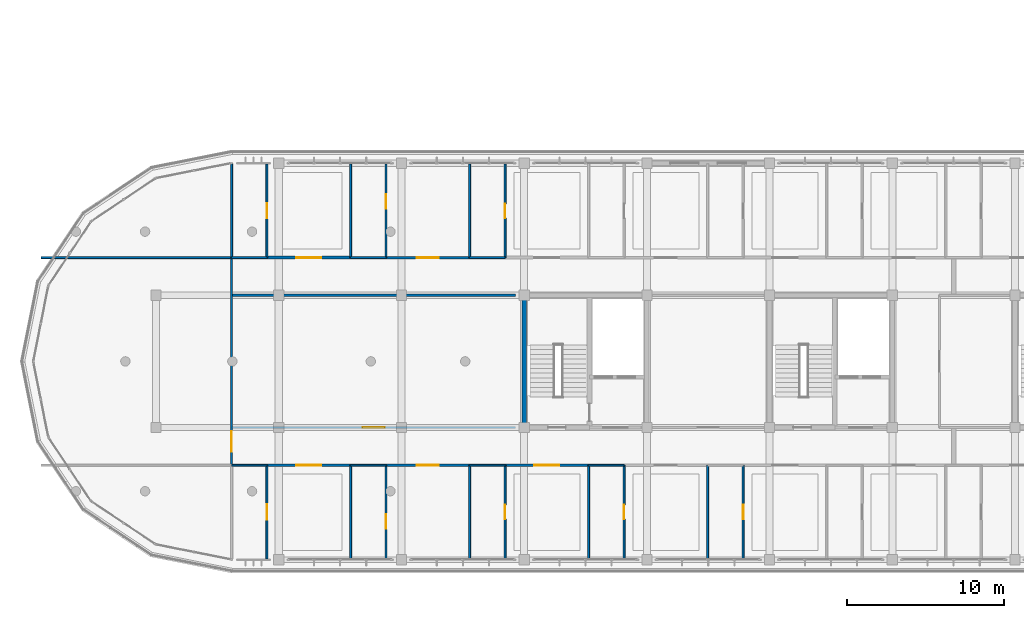
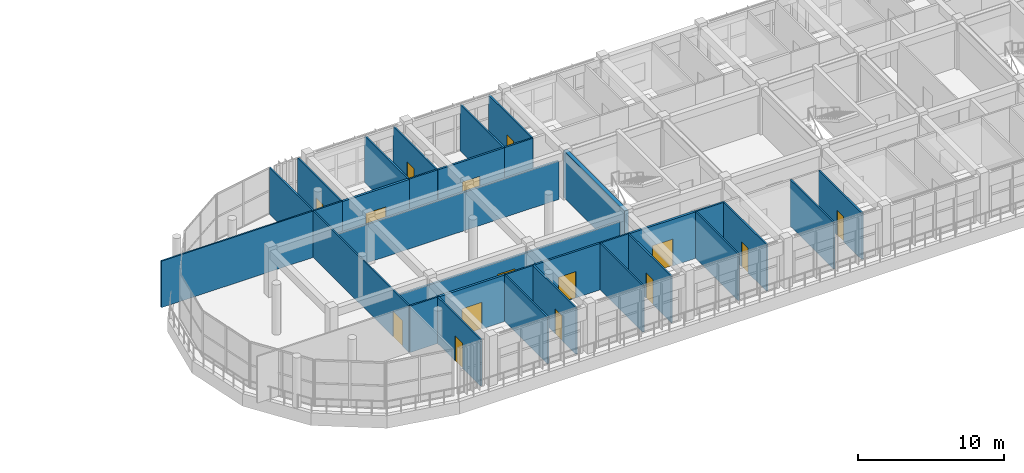
# One storey, part 50 of 63: 32 walls, 15 doors, 15 openings.
"""IFC4 building model written with IfcOpenShell, lengths in metres."""

from ifc_helpers import new_model, si_unit, direction, frame, frame_2d, origin, place, context, subcontext, project, spatial, rectangle, extrude, material, layer, layer_set, type_object, element, fill, save


model = new_model("IFC4")

# Units and contexts
model_context = context("Model", 3, precision=1e-05, world=origin(), true_north=direction((0.0, 1.0)))
body_context = subcontext(model_context, "Body", "Model", "MODEL_VIEW")
ifc_project = project(units=[si_unit("LENGTHUNIT", "METRE"), si_unit("AREAUNIT", "SQUARE_METRE"), si_unit("VOLUMEUNIT", "CUBIC_METRE"), si_unit("PLANEANGLEUNIT", "RADIAN"), si_unit("MASSUNIT", "GRAM", prefix="KILO")], contexts=[model_context])

# Site, building, storey
site_placement = place(None, origin())
site = spatial("IfcSite", under=ifc_project, at=site_placement, CompositionType="ELEMENT")
building_placement = place(site_placement, origin())
building = spatial("IfcBuilding", under=site, at=building_placement, Name="Zizhar Promenade General Hospital", CompositionType="ELEMENT")
storey_placement = place(building_placement, frame((0.0, 0.0, 18.0)))
storey = spatial("IfcBuildingStorey", under=building, at=storey_placement, Name="L04", CompositionType="ELEMENT", Elevation=18.0)

# Wall, opening, door
ifc_material_1 = material(Name="Acoustic double-stud clinical partition")
ifc_layer_1 = layer(ifc_material_1, 0.179931640625)
ifc_layer_set_1 = layer_set([ifc_layer_1], Name="Acoustic double-stud clinical partition")
wall_type_1 = type_object("IfcWallType", Name="IW-ICU-180", PredefinedType="PARTITIONING", material=ifc_layer_set_1)
wall_1_placement = place(storey_placement, frame((30.4599609375, 6.0, 0.0), z_axis=(0.0, 0.0, 1.0), x_axis=(1.0, 0.0, 0.0)))
wall_1 = element("IfcWall", 1, at=wall_1_placement, inside=storey, type_object=wall_type_1, Name="Intensive Care Step-Down L04-S01 N Partition", PredefinedType="PARTITIONING", context=body_context, shape_type="SweptSolid", body=[
    extrude(rectangle(XDim=5.297119140625, YDim=0.179931640625, at=frame_2d((2.6484375, 0.0))), origin(), (0.0, 0.0, 1.0), 3.89990234375),
])
opening_1_placement = place(wall_1_placement, frame((1.848388671875, 0.0, 0.0)))
opening_1 = element("IfcOpeningElement", 2, at=opening_1_placement, cuts=wall_1, Name="Opening D-05", PredefinedType="OPENING", context=body_context, shape_type="SweptSolid", body=[
    extrude(rectangle(XDim=1.60009765625, YDim=2.25, at=frame_2d((0.800048828125, 1.125))), frame((0.0, 0.10009765625, 0.0), z_axis=(0.0, -1.0, 0.0), x_axis=(1.0, 0.0, 0.0)), (0.0, 0.0, 1.0), 0.199951171875),
])
ifc_material_2 = material(Name="Anodised aluminium and clinical glass", Category="aluminium")
door_type_1 = type_object("IfcDoorType", Name="DR-ICU-GLZ-160x225", OperationType="SLIDING_TO_RIGHT", PredefinedType="DOOR", material=ifc_material_2)
door_1_placement = place(opening_1_placement, origin())
door_1 = element("IfcDoor", 3, at=door_1_placement, inside=storey, type_object=door_type_1, Name="Intensive Care Step-Down L04-S01 Door", OperationType="SLIDING_TO_RIGHT", OverallHeight=2.25, OverallWidth=1.60009765625, PredefinedType="DOOR", context=body_context, shape_type="SweptSolid", body=[
    extrude(rectangle(XDim=1.60009765625, YDim=2.25, at=frame_2d((0.800048828125, 1.125))), frame((0.0, 0.02490234375, 0.0), z_axis=(0.0, -1.0, 0.0), x_axis=(1.0, 0.0, 0.0)), (0.0, 0.0, 1.0), 0.050048828125),
])
fill(opening_1, door_1)

wall_2_placement = place(storey_placement, frame((30.4599609375, 19.199951171875, 0.0), z_axis=(0.0, 0.0, 1.0), x_axis=(1.0, 0.0, 0.0)))
wall_2 = element("IfcWall", 4, at=wall_2_placement, inside=storey, type_object=wall_type_1, Name="Intensive Care Step-Down L04-N01 S Partition", PredefinedType="PARTITIONING", context=body_context, shape_type="SweptSolid", body=[
    extrude(rectangle(XDim=5.297119140625, YDim=0.179931640625, at=frame_2d((2.6484375, 0.0))), origin(), (0.0, 0.0, 1.0), 3.89990234375),
])
opening_2_placement = place(wall_2_placement, frame((1.848388671875, 0.0, 0.0)))
opening_2 = element("IfcOpeningElement", 5, at=opening_2_placement, cuts=wall_2, Name="Opening D-05", PredefinedType="OPENING", context=body_context, shape_type="SweptSolid", body=[
    extrude(rectangle(XDim=1.60009765625, YDim=2.25, at=frame_2d((0.800048828125, 1.125))), frame((0.0, 0.10009765625, 0.0), z_axis=(0.0, -1.0, 0.0), x_axis=(1.0, 0.0, 0.0)), (0.0, 0.0, 1.0), 0.199951171875),
])
door_2_placement = place(opening_2_placement, origin())
door_2 = element("IfcDoor", 6, at=door_2_placement, inside=storey, type_object=door_type_1, Name="Intensive Care Step-Down L04-N01 Door", OperationType="SLIDING_TO_RIGHT", OverallHeight=2.25, OverallWidth=1.60009765625, PredefinedType="DOOR", context=body_context, shape_type="SweptSolid", body=[
    extrude(rectangle(XDim=1.60009765625, YDim=2.25, at=frame_2d((0.800048828125, 1.125))), frame((0.0, 0.02490234375, 0.0), z_axis=(0.0, -1.0, 0.0), x_axis=(1.0, 0.0, 0.0)), (0.0, 0.0, 1.0), 0.050048828125),
])
fill(opening_2, door_2)

wall_3_placement = place(storey_placement, frame((45.593017578125, 6.0, 0.0), z_axis=(0.0, 0.0, 1.0), x_axis=(1.0, 0.0, 0.0)))
wall_3 = element("IfcWall", 7, at=wall_3_placement, inside=storey, type_object=wall_type_1, Name="Intensive Care Step-Down L04-S03 N Partition", PredefinedType="PARTITIONING", context=body_context, shape_type="SweptSolid", body=[
    extrude(rectangle(XDim=5.296875, YDim=0.179931640625, at=frame_2d((2.6484375, 0.0))), origin(), (0.0, 0.0, 1.0), 3.89990234375),
])
opening_3_placement = place(wall_3_placement, frame((1.848388671875, 0.0, 0.0)))
opening_3 = element("IfcOpeningElement", 8, at=opening_3_placement, cuts=wall_3, Name="Opening D-05", PredefinedType="OPENING", context=body_context, shape_type="SweptSolid", body=[
    extrude(rectangle(XDim=1.60009765625, YDim=2.25, at=frame_2d((0.800048828125, 1.125))), frame((0.0, 0.10009765625, 0.0), z_axis=(0.0, -1.0, 0.0), x_axis=(1.0, 0.0, 0.0)), (0.0, 0.0, 1.0), 0.199951171875),
])
door_3_placement = place(opening_3_placement, origin())
door_3 = element("IfcDoor", 9, at=door_3_placement, inside=storey, type_object=door_type_1, Name="Intensive Care Step-Down L04-S03 Door", OperationType="SLIDING_TO_RIGHT", OverallHeight=2.25, OverallWidth=1.60009765625, PredefinedType="DOOR", context=body_context, shape_type="SweptSolid", body=[
    extrude(rectangle(XDim=1.60009765625, YDim=2.25, at=frame_2d((0.800048828125, 1.125))), frame((0.0, 0.02490234375, 0.0), z_axis=(0.0, -1.0, 0.0), x_axis=(1.0, 0.0, 0.0)), (0.0, 0.0, 1.0), 0.050048828125),
])
fill(opening_3, door_3)

# Wall
ifc_material_3 = material(Name="Clean utility gypsum partition")
ifc_layer_2 = layer(ifc_material_3, 0.114990234375)
ifc_layer_set_2 = layer_set([ifc_layer_2], Name="Clean utility gypsum partition")
wall_type_2 = type_object("IfcWallType", Name="IW-STR-115", PredefinedType="PARTITIONING", material=ifc_layer_set_2)
wall_4_placement = place(storey_placement, frame((16.10009765625, 19.199951171875, 0.0), z_axis=(0.0, 0.0, 1.0), x_axis=(1.0, 0.0, 0.0)))
element("IfcWall", 10, at=wall_4_placement, inside=storey, type_object=wall_type_2, Name="West Patient Recovery Solarium L04 N Partition", PredefinedType="PARTITIONING", context=body_context, shape_type="SweptSolid", body=[
    extrude(rectangle(XDim=12.099853515625, YDim=0.114990234375, at=frame_2d((6.0498046875, 0.0))), origin(), (0.0, 0.0, 1.0), 3.89990234375),
])

# Wall, opening, door
wall_5_placement = place(storey_placement, frame((28.199951171875, 6.0, 0.0), z_axis=(0.0, 0.0, 1.0), x_axis=(0.0, 1.0, 0.0)))
wall_5 = element("IfcWall", 11, at=wall_5_placement, inside=storey, type_object=wall_type_2, Name="West Patient Recovery Solarium L04 E Partition", PredefinedType="PARTITIONING", context=body_context, shape_type="SweptSolid", body=[
    extrude(rectangle(XDim=13.199951171875, YDim=0.114990234375, at=frame_2d((6.60009765625, 0.0))), origin(), (0.0, 0.0, 1.0), 3.89990234375),
])
opening_4_placement = place(wall_5_placement, frame((0.85009765625, 0.0, 0.0)))
opening_4 = element("IfcOpeningElement", 12, at=opening_4_placement, cuts=wall_5, Name="Opening D-26", PredefinedType="OPENING", context=body_context, shape_type="SweptSolid", body=[
    extrude(rectangle(XDim=1.320068359375, YDim=2.14990234375, at=frame_2d((0.66015625, 1.074951171875))), frame((0.0, 0.0673828125, 0.0), z_axis=(0.0, -1.0, 0.0), x_axis=(1.0, 0.0, 0.0)), (0.0, 0.0, 1.0), 0.135009765625),
])
ifc_material_4 = material(Name="Fire-rated timber store leaf", Category="wood")
door_type_2 = type_object("IfcDoorType", Name="DR-STORE-132x215", OperationType="NOTDEFINED", PredefinedType="DOOR", material=ifc_material_4)
door_4_placement = place(opening_4_placement, origin())
door_4 = element("IfcDoor", 13, at=door_4_placement, inside=storey, type_object=door_type_2, Name="West Patient Recovery Solarium L04 Door", OperationType="SINGLE_SWING_RIGHT", OverallHeight=2.14990234375, OverallWidth=1.320068359375, PredefinedType="DOOR", context=body_context, shape_type="SweptSolid", body=[
    extrude(rectangle(XDim=1.320068359375, YDim=2.14990234375, at=frame_2d((0.66015625, 1.074951171875))), frame((0.0, 0.02490234375, 0.0), z_axis=(0.0, -1.0, 0.0), x_axis=(1.0, 0.0, 0.0)), (0.0, 0.0, 1.0), 0.050048828125),
])
fill(opening_4, door_4)

ifc_material_5 = material(Name="Acoustic patient bedroom partition")
ifc_layer_3 = layer(ifc_material_5, 0.155029296875)
ifc_layer_set_3 = layer_set([ifc_layer_3], Name="Acoustic patient bedroom partition")
wall_type_3 = type_object("IfcWallType", Name="IW-WARD-155", PredefinedType="PARTITIONING", material=ifc_layer_set_3)
wall_6_placement = place(storey_placement, frame((38.027099609375, 6.0, 0.0), z_axis=(0.0, 0.0, 1.0), x_axis=(1.0, 0.0, 0.0)))
wall_6 = element("IfcWall", 14, at=wall_6_placement, inside=storey, type_object=wall_type_3, Name="Acute Medical Inpatient Ward L04-S02 N Partition", PredefinedType="PARTITIONING", context=body_context, shape_type="SweptSolid", body=[
    extrude(rectangle(XDim=5.2958984375, YDim=0.155029296875, at=frame_2d((2.64794921875, 0.0))), origin(), (0.0, 0.0, 1.0), 3.89990234375),
])
opening_5_placement = place(wall_6_placement, frame((1.947998046875, 0.0, 0.0)))
opening_5 = element("IfcOpeningElement", 15, at=opening_5_placement, cuts=wall_6, Name="Opening D-06", PredefinedType="OPENING", context=body_context, shape_type="SweptSolid", body=[
    extrude(rectangle(XDim=1.39990234375, YDim=2.199951171875, at=frame_2d((0.699951171875, 1.10009765625))), frame((0.0, 0.08740234375, 0.0), z_axis=(0.0, -1.0, 0.0), x_axis=(1.0, 0.0, 0.0)), (0.0, 0.0, 1.0), 0.175048828125),
])
ifc_material_6 = material(Name="Fire-rated timber hospital bed leaf", Category="wood")
door_type_3 = type_object("IfcDoorType", Name="DR-BED-WARD-140x220", OperationType="NOTDEFINED", PredefinedType="DOOR", material=ifc_material_6)
door_5_placement = place(opening_5_placement, origin())
door_5 = element("IfcDoor", 16, at=door_5_placement, inside=storey, type_object=door_type_3, Name="Acute Medical Inpatient Ward L04-S02 Door", OperationType="SINGLE_SWING_RIGHT", OverallHeight=2.199951171875, OverallWidth=1.39990234375, PredefinedType="DOOR", context=body_context, shape_type="SweptSolid", body=[
    extrude(rectangle(XDim=1.39990234375, YDim=2.199951171875, at=frame_2d((0.699951171875, 1.10009765625))), frame((0.0, 0.02490234375, 0.0), z_axis=(0.0, -1.0, 0.0), x_axis=(1.0, 0.0, 0.0)), (0.0, 0.0, 1.0), 0.050048828125),
])
fill(opening_5, door_5)

wall_7_placement = place(storey_placement, frame((38.027099609375, 19.199951171875, 0.0), z_axis=(0.0, 0.0, 1.0), x_axis=(1.0, 0.0, 0.0)))
wall_7 = element("IfcWall", 17, at=wall_7_placement, inside=storey, type_object=wall_type_3, Name="Acute Medical Inpatient Ward L04-N02 S Partition", PredefinedType="PARTITIONING", context=body_context, shape_type="SweptSolid", body=[
    extrude(rectangle(XDim=5.2958984375, YDim=0.155029296875, at=frame_2d((2.64794921875, 0.0))), origin(), (0.0, 0.0, 1.0), 3.89990234375),
])
opening_6_placement = place(wall_7_placement, frame((1.947998046875, 0.0, 0.0)))
opening_6 = element("IfcOpeningElement", 18, at=opening_6_placement, cuts=wall_7, Name="Opening D-06", PredefinedType="OPENING", context=body_context, shape_type="SweptSolid", body=[
    extrude(rectangle(XDim=1.39990234375, YDim=2.199951171875, at=frame_2d((0.699951171875, 1.10009765625))), frame((0.0, 0.08740234375, 0.0), z_axis=(0.0, -1.0, 0.0), x_axis=(1.0, 0.0, 0.0)), (0.0, 0.0, 1.0), 0.175048828125),
])
door_6_placement = place(opening_6_placement, origin())
door_6 = element("IfcDoor", 19, at=door_6_placement, inside=storey, type_object=door_type_3, Name="Acute Medical Inpatient Ward L04-N02 Door", OperationType="SINGLE_SWING_LEFT", OverallHeight=2.199951171875, OverallWidth=1.39990234375, PredefinedType="DOOR", context=body_context, shape_type="SweptSolid", body=[
    extrude(rectangle(XDim=1.39990234375, YDim=2.199951171875, at=frame_2d((0.699951171875, 1.10009765625))), frame((0.0, 0.02490234375, 0.0), z_axis=(0.0, -1.0, 0.0), x_axis=(1.0, 0.0, 0.0)), (0.0, 0.0, 1.0), 0.050048828125),
])
fill(opening_6, door_6)

wall_8_placement = place(storey_placement, frame((28.2099609375, 8.39990234375, 0.0), z_axis=(0.0, 0.0, 1.0), x_axis=(1.0, 0.0, 0.0)))
wall_8 = element("IfcWall", 20, at=wall_8_placement, inside=storey, type_object=wall_type_3, Name="Ward Clinical Examination Room L04 S Partition", PredefinedType="PARTITIONING", context=body_context, shape_type="SweptSolid", body=[
    extrude(rectangle(XDim=18.030029296875, YDim=0.155029296875, at=frame_2d((9.01513671875, 0.0))), origin(), (0.0, 0.0, 1.0), 3.219970703125),
])
opening_7_placement = place(wall_8_placement, frame((8.31494140625, 0.0, 0.0)))
opening_7 = element("IfcOpeningElement", 21, at=opening_7_placement, cuts=wall_8, Name="Opening D-06", PredefinedType="OPENING", context=body_context, shape_type="SweptSolid", body=[
    extrude(rectangle(XDim=1.39990234375, YDim=2.199951171875, at=frame_2d((0.699951171875, 1.10009765625))), frame((0.0, 0.08740234375, 0.0), z_axis=(0.0, -1.0, 0.0), x_axis=(1.0, 0.0, 0.0)), (0.0, 0.0, 1.0), 0.175048828125),
])
door_7_placement = place(opening_7_placement, origin())
door_7 = element("IfcDoor", 22, at=door_7_placement, inside=storey, type_object=door_type_3, Name="Ward Clinical Examination Room L04 Door", OperationType="SINGLE_SWING_RIGHT", OverallHeight=2.199951171875, OverallWidth=1.39990234375, PredefinedType="DOOR", context=body_context, shape_type="SweptSolid", body=[
    extrude(rectangle(XDim=1.39990234375, YDim=2.199951171875, at=frame_2d((0.699951171875, 1.10009765625))), frame((0.0, 0.02490234375, 0.0), z_axis=(0.0, -1.0, 0.0), x_axis=(1.0, 0.0, 0.0)), (0.0, 0.0, 1.0), 0.050048828125),
])
fill(opening_7, door_7)

# Walls
wall_9_placement = place(storey_placement, frame((28.2099609375, 16.800048828125, 0.0), z_axis=(0.0, 0.0, 1.0), x_axis=(1.0, 0.0, 0.0)))
element("IfcWall", 23, at=wall_9_placement, inside=storey, type_object=wall_type_3, Name="Ward Clinical Examination Room L04 N Partition", PredefinedType="PARTITIONING", context=body_context, shape_type="SweptSolid", body=[
    extrude(rectangle(XDim=18.030029296875, YDim=0.155029296875, at=frame_2d((9.01513671875, 0.0))), origin(), (0.0, 0.0, 1.0), 3.219970703125),
])
ifc_material_7 = material(Name="Moisture-resistant en-suite wet partition")
ifc_layer_4 = layer(ifc_material_7, 0.125)
ifc_layer_set_4 = layer_set([ifc_layer_4], Name="Moisture-resistant en-suite wet partition")
wall_type_4 = type_object("IfcWallType", Name="IW-WET-125", PredefinedType="PARTITIONING", material=ifc_layer_set_4)
wall_10_placement = place(storey_placement, frame((28.199951171875, 6.0, 0.0), z_axis=(0.0, 0.0, 1.0), x_axis=(1.0, 0.0, 0.0)))
element("IfcWall", 24, at=wall_10_placement, inside=storey, type_object=wall_type_4, Name="En-Suite Patient Bathroom L04-S01 N Partition", PredefinedType="PARTITIONING", context=body_context, shape_type="SweptSolid", body=[
    extrude(rectangle(XDim=2.25, YDim=0.125, at=frame_2d((1.125, 0.0))), origin(), (0.0, 0.0, 1.0), 3.89990234375),
])

# Wall, opening, door
wall_11_placement = place(storey_placement, frame((30.449951171875, 0.044921875, 0.0), z_axis=(0.0, 0.0, 1.0), x_axis=(0.0, 1.0, 0.0)))
wall_11 = element("IfcWall", 25, at=wall_11_placement, inside=storey, type_object=wall_type_4, Name="En-Suite Patient Bathroom L04-S01 E Partition", PredefinedType="PARTITIONING", context=body_context, shape_type="SweptSolid", body=[
    extrude(rectangle(XDim=5.955078125, YDim=0.125, at=frame_2d((2.9775390625, 0.0))), origin(), (0.0, 0.0, 1.0), 3.89990234375),
])
opening_8_placement = place(wall_11_placement, frame((2.487548828125, 0.0, 0.0)))
opening_8 = element("IfcOpeningElement", 26, at=opening_8_placement, cuts=wall_11, Name="Opening D-17", PredefinedType="OPENING", context=body_context, shape_type="SweptSolid", body=[
    extrude(rectangle(XDim=0.97998046875, YDim=2.10009765625, at=frame_2d((0.489990234375, 1.050048828125))), frame((0.0, 0.072509765625, 0.0), z_axis=(0.0, -1.0, 0.0), x_axis=(1.0, 0.0, 0.0)), (0.0, 0.0, 1.0), 0.14501953125),
])
ifc_material_8 = material(Name="Moisture-resistant timber PMR leaf", Category="wood")
door_type_4 = type_object("IfcDoorType", Name="DR-ENS-PMR-098x210", OperationType="NOTDEFINED", PredefinedType="DOOR", material=ifc_material_8)
door_8_placement = place(opening_8_placement, origin())
door_8 = element("IfcDoor", 27, at=door_8_placement, inside=storey, type_object=door_type_4, Name="En-Suite Patient Bathroom L04-S01 Door", OperationType="SINGLE_SWING_RIGHT", OverallHeight=2.10009765625, OverallWidth=0.97998046875, PredefinedType="DOOR", context=body_context, shape_type="SweptSolid", body=[
    extrude(rectangle(XDim=0.97998046875, YDim=2.10009765625, at=frame_2d((0.489990234375, 1.050048828125))), frame((0.0, 0.02490234375, 0.0), z_axis=(0.0, -1.0, 0.0), x_axis=(1.0, 0.0, 0.0)), (0.0, 0.0, 1.0), 0.050048828125),
])
fill(opening_8, door_8)

# Walls
wall_12_placement = place(storey_placement, frame((28.199951171875, 19.199951171875, 0.0), z_axis=(0.0, 0.0, 1.0), x_axis=(1.0, 0.0, 0.0)))
element("IfcWall", 28, at=wall_12_placement, inside=storey, type_object=wall_type_4, Name="En-Suite Patient Bathroom L04-N01 S Partition", PredefinedType="PARTITIONING", context=body_context, shape_type="SweptSolid", body=[
    extrude(rectangle(XDim=2.25, YDim=0.125, at=frame_2d((1.125, 0.0))), origin(), (0.0, 0.0, 1.0), 3.89990234375),
])
wall_13_placement = place(storey_placement, frame((28.199951171875, 19.199951171875, 0.0), z_axis=(0.0, 0.0, 1.0), x_axis=(0.0, 1.0, 0.0)))
element("IfcWall", 29, at=wall_13_placement, inside=storey, type_object=wall_type_4, Name="En-Suite Patient Bathroom L04-N01 W Partition", PredefinedType="PARTITIONING", context=body_context, shape_type="SweptSolid", body=[
    extrude(rectangle(XDim=5.955078125, YDim=0.125, at=frame_2d((2.9775390625, 0.0))), origin(), (0.0, 0.0, 1.0), 3.89990234375),
])

# Wall, opening, door
wall_14_placement = place(storey_placement, frame((30.449951171875, 19.199951171875, 0.0), z_axis=(0.0, 0.0, 1.0), x_axis=(0.0, 1.0, 0.0)))
wall_14 = element("IfcWall", 30, at=wall_14_placement, inside=storey, type_object=wall_type_4, Name="En-Suite Patient Bathroom L04-N01 E Partition", PredefinedType="PARTITIONING", context=body_context, shape_type="SweptSolid", body=[
    extrude(rectangle(XDim=5.955078125, YDim=0.125, at=frame_2d((2.9775390625, 0.0))), origin(), (0.0, 0.0, 1.0), 3.89990234375),
])
opening_9_placement = place(wall_14_placement, frame((2.487548828125, 0.0, 0.0)))
opening_9 = element("IfcOpeningElement", 31, at=opening_9_placement, cuts=wall_14, Name="Opening D-17", PredefinedType="OPENING", context=body_context, shape_type="SweptSolid", body=[
    extrude(rectangle(XDim=0.97998046875, YDim=2.10009765625, at=frame_2d((0.489990234375, 1.050048828125))), frame((0.0, 0.072509765625, 0.0), z_axis=(0.0, -1.0, 0.0), x_axis=(1.0, 0.0, 0.0)), (0.0, 0.0, 1.0), 0.14501953125),
])
door_9_placement = place(opening_9_placement, origin())
door_9 = element("IfcDoor", 32, at=door_9_placement, inside=storey, type_object=door_type_4, Name="En-Suite Patient Bathroom L04-N01 Door", OperationType="SINGLE_SWING_LEFT", OverallHeight=2.10009765625, OverallWidth=0.97998046875, PredefinedType="DOOR", context=body_context, shape_type="SweptSolid", body=[
    extrude(rectangle(XDim=0.97998046875, YDim=2.10009765625, at=frame_2d((0.489990234375, 1.050048828125))), frame((0.0, 0.02490234375, 0.0), z_axis=(0.0, -1.0, 0.0), x_axis=(1.0, 0.0, 0.0)), (0.0, 0.0, 1.0), 0.050048828125),
])
fill(opening_9, door_9)

# Walls
wall_15_placement = place(storey_placement, frame((35.7666015625, 6.0, 0.0), z_axis=(0.0, 0.0, 1.0), x_axis=(1.0, 0.0, 0.0)))
element("IfcWall", 33, at=wall_15_placement, inside=storey, type_object=wall_type_4, Name="En-Suite Patient Bathroom L04-S02 N Partition", PredefinedType="PARTITIONING", context=body_context, shape_type="SweptSolid", body=[
    extrude(rectangle(XDim=2.25, YDim=0.125, at=frame_2d((1.125, 0.0))), origin(), (0.0, 0.0, 1.0), 3.89990234375),
])
wall_16_placement = place(storey_placement, frame((35.7666015625, 0.044921875, 0.0), z_axis=(0.0, 0.0, 1.0), x_axis=(0.0, 1.0, 0.0)))
element("IfcWall", 34, at=wall_16_placement, inside=storey, type_object=wall_type_4, Name="En-Suite Patient Bathroom L04-S02 W Partition", PredefinedType="PARTITIONING", context=body_context, shape_type="SweptSolid", body=[
    extrude(rectangle(XDim=5.955078125, YDim=0.125, at=frame_2d((2.9775390625, 0.0))), origin(), (0.0, 0.0, 1.0), 3.89990234375),
])

# Wall, opening, door
wall_17_placement = place(storey_placement, frame((38.0166015625, 0.044921875, 0.0), z_axis=(0.0, 0.0, 1.0), x_axis=(0.0, 1.0, 0.0)))
wall_17 = element("IfcWall", 35, at=wall_17_placement, inside=storey, type_object=wall_type_4, Name="En-Suite Patient Bathroom L04-S02 E Partition", PredefinedType="PARTITIONING", context=body_context, shape_type="SweptSolid", body=[
    extrude(rectangle(XDim=5.955078125, YDim=0.125, at=frame_2d((2.9775390625, 0.0))), origin(), (0.0, 0.0, 1.0), 3.89990234375),
])
opening_10_placement = place(wall_17_placement, frame((1.922119140625, 0.0, 0.0)))
opening_10 = element("IfcOpeningElement", 36, at=opening_10_placement, cuts=wall_17, Name="Opening D-18", PredefinedType="OPENING", context=body_context, shape_type="SweptSolid", body=[
    extrude(rectangle(XDim=0.919921875, YDim=2.10009765625, at=frame_2d((0.4599609375, 1.050048828125))), frame((0.0, 0.072509765625, 0.0), z_axis=(0.0, -1.0, 0.0), x_axis=(1.0, 0.0, 0.0)), (0.0, 0.0, 1.0), 0.14501953125),
])
ifc_material_9 = material(Name="Moisture-resistant timber en-suite leaf", Category="wood")
door_type_5 = type_object("IfcDoorType", Name="DR-ENS-STD-092x210", OperationType="NOTDEFINED", PredefinedType="DOOR", material=ifc_material_9)
door_10_placement = place(opening_10_placement, origin())
door_10 = element("IfcDoor", 37, at=door_10_placement, inside=storey, type_object=door_type_5, Name="En-Suite Patient Bathroom L04-S02 Door", OperationType="SINGLE_SWING_RIGHT", OverallHeight=2.10009765625, OverallWidth=0.919921875, PredefinedType="DOOR", context=body_context, shape_type="SweptSolid", body=[
    extrude(rectangle(XDim=0.919921875, YDim=2.10009765625, at=frame_2d((0.4599609375, 1.050048828125))), frame((0.0, 0.02490234375, 0.0), z_axis=(0.0, -1.0, 0.0), x_axis=(1.0, 0.0, 0.0)), (0.0, 0.0, 1.0), 0.050048828125),
])
fill(opening_10, door_10)

# Walls
wall_18_placement = place(storey_placement, frame((35.7666015625, 19.199951171875, 0.0), z_axis=(0.0, 0.0, 1.0), x_axis=(1.0, 0.0, 0.0)))
element("IfcWall", 38, at=wall_18_placement, inside=storey, type_object=wall_type_4, Name="En-Suite Patient Bathroom L04-N02 S Partition", PredefinedType="PARTITIONING", context=body_context, shape_type="SweptSolid", body=[
    extrude(rectangle(XDim=2.25, YDim=0.125, at=frame_2d((1.125, 0.0))), origin(), (0.0, 0.0, 1.0), 3.89990234375),
])
wall_19_placement = place(storey_placement, frame((35.7666015625, 19.199951171875, 0.0), z_axis=(0.0, 0.0, 1.0), x_axis=(0.0, 1.0, 0.0)))
element("IfcWall", 39, at=wall_19_placement, inside=storey, type_object=wall_type_4, Name="En-Suite Patient Bathroom L04-N02 W Partition", PredefinedType="PARTITIONING", context=body_context, shape_type="SweptSolid", body=[
    extrude(rectangle(XDim=5.955078125, YDim=0.125, at=frame_2d((2.9775390625, 0.0))), origin(), (0.0, 0.0, 1.0), 3.89990234375),
])

# Wall, opening, door
wall_20_placement = place(storey_placement, frame((38.0166015625, 19.199951171875, 0.0), z_axis=(0.0, 0.0, 1.0), x_axis=(0.0, 1.0, 0.0)))
wall_20 = element("IfcWall", 40, at=wall_20_placement, inside=storey, type_object=wall_type_4, Name="En-Suite Patient Bathroom L04-N02 E Partition", PredefinedType="PARTITIONING", context=body_context, shape_type="SweptSolid", body=[
    extrude(rectangle(XDim=5.955078125, YDim=0.125, at=frame_2d((2.9775390625, 0.0))), origin(), (0.0, 0.0, 1.0), 3.89990234375),
])
opening_11_placement = place(wall_20_placement, frame((3.113037109375, 0.0, 0.0)))
opening_11 = element("IfcOpeningElement", 41, at=opening_11_placement, cuts=wall_20, Name="Opening D-18", PredefinedType="OPENING", context=body_context, shape_type="SweptSolid", body=[
    extrude(rectangle(XDim=0.919921875, YDim=2.10009765625, at=frame_2d((0.4599609375, 1.050048828125))), frame((0.0, 0.072509765625, 0.0), z_axis=(0.0, -1.0, 0.0), x_axis=(1.0, 0.0, 0.0)), (0.0, 0.0, 1.0), 0.14501953125),
])
door_11_placement = place(opening_11_placement, origin())
door_11 = element("IfcDoor", 42, at=door_11_placement, inside=storey, type_object=door_type_5, Name="En-Suite Patient Bathroom L04-N02 Door", OperationType="SINGLE_SWING_LEFT", OverallHeight=2.10009765625, OverallWidth=0.919921875, PredefinedType="DOOR", context=body_context, shape_type="SweptSolid", body=[
    extrude(rectangle(XDim=0.919921875, YDim=2.10009765625, at=frame_2d((0.4599609375, 1.050048828125))), frame((0.0, 0.02490234375, 0.0), z_axis=(0.0, -1.0, 0.0), x_axis=(1.0, 0.0, 0.0)), (0.0, 0.0, 1.0), 0.050048828125),
])
fill(opening_11, door_11)

# Walls
wall_21_placement = place(storey_placement, frame((43.333251953125, 6.0, 0.0), z_axis=(0.0, 0.0, 1.0), x_axis=(1.0, 0.0, 0.0)))
element("IfcWall", 43, at=wall_21_placement, inside=storey, type_object=wall_type_4, Name="En-Suite Patient Bathroom L04-S03 N Partition", PredefinedType="PARTITIONING", context=body_context, shape_type="SweptSolid", body=[
    extrude(rectangle(XDim=2.25, YDim=0.125, at=frame_2d((1.125, 0.0))), origin(), (0.0, 0.0, 1.0), 3.89990234375),
])
wall_22_placement = place(storey_placement, frame((43.333251953125, 0.044921875, 0.0), z_axis=(0.0, 0.0, 1.0), x_axis=(0.0, 1.0, 0.0)))
element("IfcWall", 44, at=wall_22_placement, inside=storey, type_object=wall_type_4, Name="En-Suite Patient Bathroom L04-S03 W Partition", PredefinedType="PARTITIONING", context=body_context, shape_type="SweptSolid", body=[
    extrude(rectangle(XDim=5.955078125, YDim=0.125, at=frame_2d((2.9775390625, 0.0))), origin(), (0.0, 0.0, 1.0), 3.89990234375),
])

# Wall, opening, door
wall_23_placement = place(storey_placement, frame((45.583251953125, 0.044921875, 0.0), z_axis=(0.0, 0.0, 1.0), x_axis=(0.0, 1.0, 0.0)))
wall_23 = element("IfcWall", 45, at=wall_23_placement, inside=storey, type_object=wall_type_4, Name="En-Suite Patient Bathroom L04-S03 E Partition", PredefinedType="PARTITIONING", context=body_context, shape_type="SweptSolid", body=[
    extrude(rectangle(XDim=5.955078125, YDim=0.125, at=frame_2d((2.9775390625, 0.0))), origin(), (0.0, 0.0, 1.0), 3.89990234375),
])
opening_12_placement = place(wall_23_placement, frame((2.517578125, 0.0, 0.0)))
opening_12 = element("IfcOpeningElement", 46, at=opening_12_placement, cuts=wall_23, Name="Opening D-18", PredefinedType="OPENING", context=body_context, shape_type="SweptSolid", body=[
    extrude(rectangle(XDim=0.919921875, YDim=2.10009765625, at=frame_2d((0.4599609375, 1.050048828125))), frame((0.0, 0.072509765625, 0.0), z_axis=(0.0, -1.0, 0.0), x_axis=(1.0, 0.0, 0.0)), (0.0, 0.0, 1.0), 0.14501953125),
])
door_12_placement = place(opening_12_placement, origin())
door_12 = element("IfcDoor", 47, at=door_12_placement, inside=storey, type_object=door_type_5, Name="En-Suite Patient Bathroom L04-S03 Door", OperationType="SINGLE_SWING_RIGHT", OverallHeight=2.10009765625, OverallWidth=0.919921875, PredefinedType="DOOR", context=body_context, shape_type="SweptSolid", body=[
    extrude(rectangle(XDim=0.919921875, YDim=2.10009765625, at=frame_2d((0.4599609375, 1.050048828125))), frame((0.0, 0.02490234375, 0.0), z_axis=(0.0, -1.0, 0.0), x_axis=(1.0, 0.0, 0.0)), (0.0, 0.0, 1.0), 0.050048828125),
])
fill(opening_12, door_12)

# Walls
wall_24_placement = place(storey_placement, frame((43.333251953125, 19.199951171875, 0.0), z_axis=(0.0, 0.0, 1.0), x_axis=(1.0, 0.0, 0.0)))
element("IfcWall", 48, at=wall_24_placement, inside=storey, type_object=wall_type_4, Name="En-Suite Patient Bathroom L04-N03 S Partition", PredefinedType="PARTITIONING", context=body_context, shape_type="SweptSolid", body=[
    extrude(rectangle(XDim=2.25, YDim=0.125, at=frame_2d((1.125, 0.0))), origin(), (0.0, 0.0, 1.0), 3.89990234375),
])
wall_25_placement = place(storey_placement, frame((43.333251953125, 19.199951171875, 0.0), z_axis=(0.0, 0.0, 1.0), x_axis=(0.0, 1.0, 0.0)))
element("IfcWall", 49, at=wall_25_placement, inside=storey, type_object=wall_type_4, Name="En-Suite Patient Bathroom L04-N03 W Partition", PredefinedType="PARTITIONING", context=body_context, shape_type="SweptSolid", body=[
    extrude(rectangle(XDim=5.955078125, YDim=0.125, at=frame_2d((2.9775390625, 0.0))), origin(), (0.0, 0.0, 1.0), 3.89990234375),
])

# Wall, opening, door
wall_26_placement = place(storey_placement, frame((45.583251953125, 19.199951171875, 0.0), z_axis=(0.0, 0.0, 1.0), x_axis=(0.0, 1.0, 0.0)))
wall_26 = element("IfcWall", 50, at=wall_26_placement, inside=storey, type_object=wall_type_4, Name="En-Suite Patient Bathroom L04-N03 E Partition", PredefinedType="PARTITIONING", context=body_context, shape_type="SweptSolid", body=[
    extrude(rectangle(XDim=5.955078125, YDim=0.125, at=frame_2d((2.9775390625, 0.0))), origin(), (0.0, 0.0, 1.0), 3.89990234375),
])
opening_13_placement = place(wall_26_placement, frame((2.517578125, 0.0, 0.0)))
opening_13 = element("IfcOpeningElement", 51, at=opening_13_placement, cuts=wall_26, Name="Opening D-18", PredefinedType="OPENING", context=body_context, shape_type="SweptSolid", body=[
    extrude(rectangle(XDim=0.919921875, YDim=2.10009765625, at=frame_2d((0.4599609375, 1.050048828125))), frame((0.0, 0.072509765625, 0.0), z_axis=(0.0, -1.0, 0.0), x_axis=(1.0, 0.0, 0.0)), (0.0, 0.0, 1.0), 0.14501953125),
])
door_13_placement = place(opening_13_placement, origin())
door_13 = element("IfcDoor", 52, at=door_13_placement, inside=storey, type_object=door_type_5, Name="En-Suite Patient Bathroom L04-N03 Door", OperationType="SINGLE_SWING_LEFT", OverallHeight=2.10009765625, OverallWidth=0.919921875, PredefinedType="DOOR", context=body_context, shape_type="SweptSolid", body=[
    extrude(rectangle(XDim=0.919921875, YDim=2.10009765625, at=frame_2d((0.4599609375, 1.050048828125))), frame((0.0, 0.02490234375, 0.0), z_axis=(0.0, -1.0, 0.0), x_axis=(1.0, 0.0, 0.0)), (0.0, 0.0, 1.0), 0.050048828125),
])
fill(opening_13, door_13)

# Walls
wall_27_placement = place(storey_placement, frame((50.89990234375, 6.0, 0.0), z_axis=(0.0, 0.0, 1.0), x_axis=(1.0, 0.0, 0.0)))
element("IfcWall", 53, at=wall_27_placement, inside=storey, type_object=wall_type_4, Name="En-Suite Patient Bathroom L04-S04 N Partition", PredefinedType="PARTITIONING", context=body_context, shape_type="SweptSolid", body=[
    extrude(rectangle(XDim=2.25, YDim=0.125, at=frame_2d((1.125, 0.0))), origin(), (0.0, 0.0, 1.0), 3.89990234375),
])
wall_28_placement = place(storey_placement, frame((50.89990234375, 0.044921875, 0.0), z_axis=(0.0, 0.0, 1.0), x_axis=(0.0, 1.0, 0.0)))
element("IfcWall", 54, at=wall_28_placement, inside=storey, type_object=wall_type_4, Name="En-Suite Patient Bathroom L04-S04 W Partition", PredefinedType="PARTITIONING", context=body_context, shape_type="SweptSolid", body=[
    extrude(rectangle(XDim=5.955078125, YDim=0.125, at=frame_2d((2.9775390625, 0.0))), origin(), (0.0, 0.0, 1.0), 3.89990234375),
])

# Wall, opening, door
wall_29_placement = place(storey_placement, frame((53.14990234375, 0.044921875, 0.0), z_axis=(0.0, 0.0, 1.0), x_axis=(0.0, 1.0, 0.0)))
wall_29 = element("IfcWall", 55, at=wall_29_placement, inside=storey, type_object=wall_type_4, Name="En-Suite Patient Bathroom L04-S04 E Partition", PredefinedType="PARTITIONING", context=body_context, shape_type="SweptSolid", body=[
    extrude(rectangle(XDim=5.955078125, YDim=0.125, at=frame_2d((2.9775390625, 0.0))), origin(), (0.0, 0.0, 1.0), 3.89990234375),
])
opening_14_placement = place(wall_29_placement, frame((2.517578125, 0.0, 0.0)))
opening_14 = element("IfcOpeningElement", 56, at=opening_14_placement, cuts=wall_29, Name="Opening D-18", PredefinedType="OPENING", context=body_context, shape_type="SweptSolid", body=[
    extrude(rectangle(XDim=0.919921875, YDim=2.10009765625, at=frame_2d((0.4599609375, 1.050048828125))), frame((0.0, 0.072509765625, 0.0), z_axis=(0.0, -1.0, 0.0), x_axis=(1.0, 0.0, 0.0)), (0.0, 0.0, 1.0), 0.14501953125),
])
door_14_placement = place(opening_14_placement, origin())
door_14 = element("IfcDoor", 57, at=door_14_placement, inside=storey, type_object=door_type_5, Name="En-Suite Patient Bathroom L04-S04 Door", OperationType="SINGLE_SWING_RIGHT", OverallHeight=2.10009765625, OverallWidth=0.919921875, PredefinedType="DOOR", context=body_context, shape_type="SweptSolid", body=[
    extrude(rectangle(XDim=0.919921875, YDim=2.10009765625, at=frame_2d((0.4599609375, 1.050048828125))), frame((0.0, 0.02490234375, 0.0), z_axis=(0.0, -1.0, 0.0), x_axis=(1.0, 0.0, 0.0)), (0.0, 0.0, 1.0), 0.050048828125),
])
fill(opening_14, door_14)

# Wall
wall_30_placement = place(storey_placement, frame((58.466796875, 0.044921875, 0.0), z_axis=(0.0, 0.0, 1.0), x_axis=(0.0, 1.0, 0.0)))
element("IfcWall", 58, at=wall_30_placement, inside=storey, type_object=wall_type_4, Name="En-Suite Patient Bathroom L04-S05 W Partition", PredefinedType="PARTITIONING", context=body_context, shape_type="SweptSolid", body=[
    extrude(rectangle(XDim=5.955078125, YDim=0.125, at=frame_2d((2.9775390625, 0.0))), origin(), (0.0, 0.0, 1.0), 3.89990234375),
])

# Wall, opening, door
wall_31_placement = place(storey_placement, frame((60.716796875, 0.044921875, 0.0), z_axis=(0.0, 0.0, 1.0), x_axis=(0.0, 1.0, 0.0)))
wall_31 = element("IfcWall", 59, at=wall_31_placement, inside=storey, type_object=wall_type_4, Name="En-Suite Patient Bathroom L04-S05 E Partition", PredefinedType="PARTITIONING", context=body_context, shape_type="SweptSolid", body=[
    extrude(rectangle(XDim=5.955078125, YDim=0.125, at=frame_2d((2.9775390625, 0.0))), origin(), (0.0, 0.0, 1.0), 3.89990234375),
])
opening_15_placement = place(wall_31_placement, frame((2.517578125, 0.0, 0.0)))
opening_15 = element("IfcOpeningElement", 60, at=opening_15_placement, cuts=wall_31, Name="Opening D-18", PredefinedType="OPENING", context=body_context, shape_type="SweptSolid", body=[
    extrude(rectangle(XDim=0.919921875, YDim=2.10009765625, at=frame_2d((0.4599609375, 1.050048828125))), frame((0.0, 0.072509765625, 0.0), z_axis=(0.0, -1.0, 0.0), x_axis=(1.0, 0.0, 0.0)), (0.0, 0.0, 1.0), 0.14501953125),
])
door_15_placement = place(opening_15_placement, origin())
door_15 = element("IfcDoor", 61, at=door_15_placement, inside=storey, type_object=door_type_5, Name="En-Suite Patient Bathroom L04-S05 Door", OperationType="SINGLE_SWING_RIGHT", OverallHeight=2.10009765625, OverallWidth=0.919921875, PredefinedType="DOOR", context=body_context, shape_type="SweptSolid", body=[
    extrude(rectangle(XDim=0.919921875, YDim=2.10009765625, at=frame_2d((0.4599609375, 1.050048828125))), frame((0.0, 0.02490234375, 0.0), z_axis=(0.0, -1.0, 0.0), x_axis=(1.0, 0.0, 0.0)), (0.0, 0.0, 1.0), 0.050048828125),
])
fill(opening_15, door_15)

# Wall
ifc_material_10 = material(Name="Concrete C40/50", Category="concrete")
ifc_layer_5 = layer(ifc_material_10, 0.300048828125)
ifc_layer_set_5 = layer_set([ifc_layer_5], Name="Concrete C40/50")
wall_type_5 = type_object("IfcWallType", Name="WL-CORE-300", PredefinedType="SHEAR", material=ifc_layer_set_5)
wall_32_placement = place(storey_placement, frame((46.800048828125, 8.39990234375, 0.0), z_axis=(0.0, 0.0, 1.0), x_axis=(0.0, 1.0, 0.0)))
element("IfcWall", 62, at=wall_32_placement, inside=storey, type_object=wall_type_5, Name="Core C2 West Shear Wall L04", PredefinedType="SHEAR", context=body_context, shape_type="SweptSolid", body=[
    extrude(rectangle(XDim=8.400146484375, YDim=0.300048828125, at=frame_2d((4.2001953125, 0.0))), origin(), (0.0, 0.0, 1.0), 3.919921875),
])

save(model, "model.ifc")
